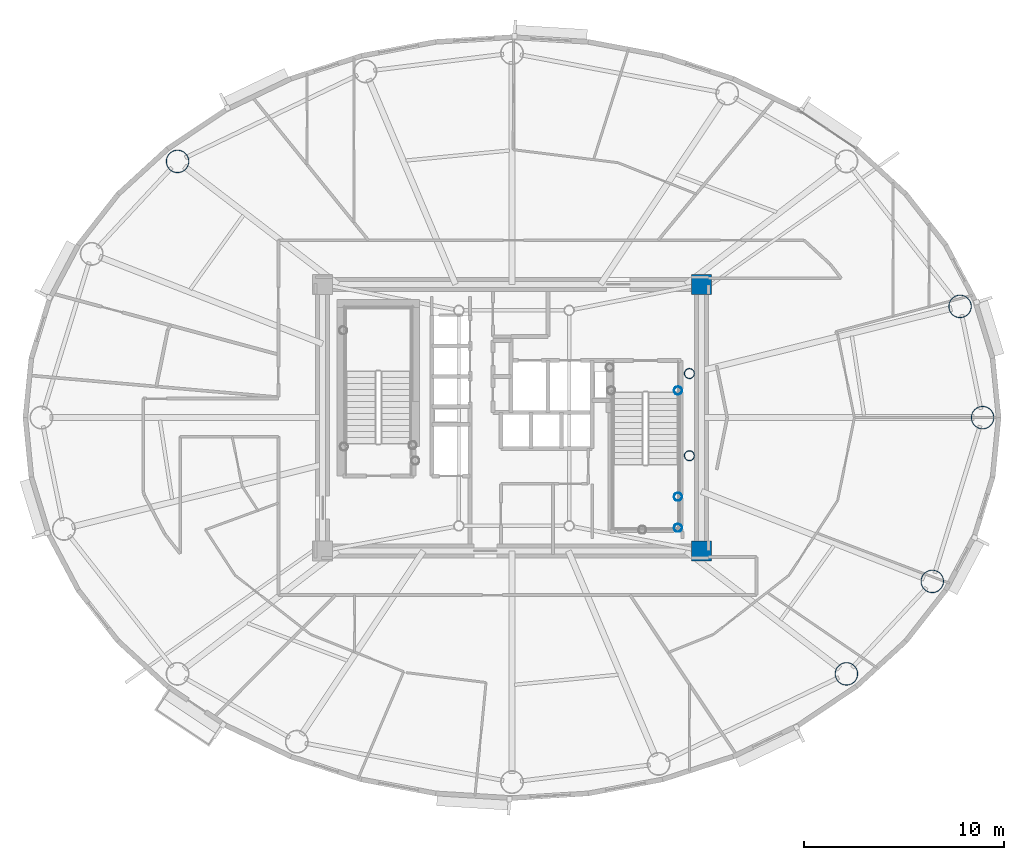
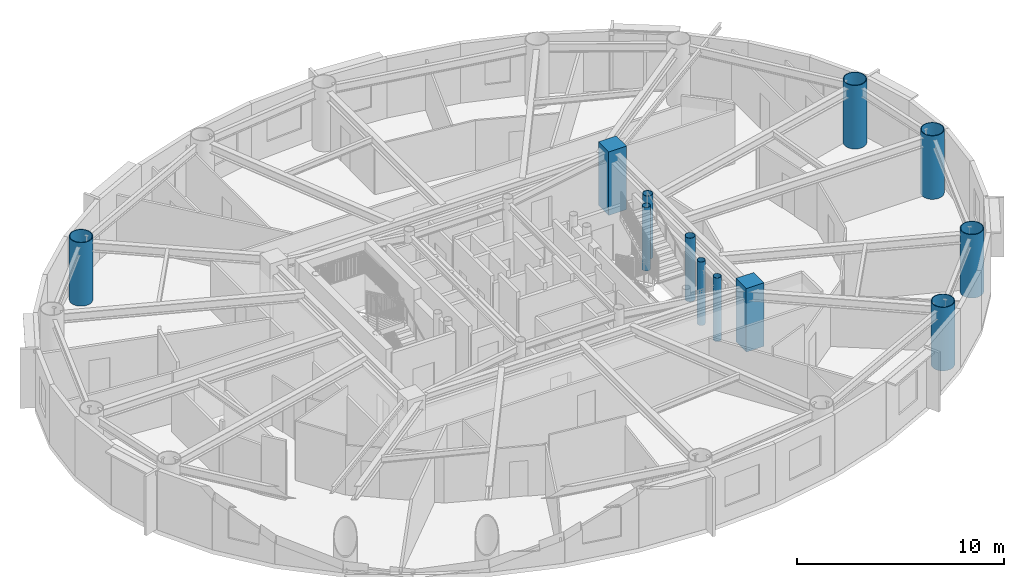
# One storey, part 2 of 18: 12 columns.
"""IFC4 building model written with IfcOpenShell, lengths in metres."""

from ifc_helpers import new_model, si_unit, direction, frame, origin, origin_2d, place, context, subcontext, project, spatial, rectangle, hollow_circle, extrude, material, material_profile, profile_set, type_object, element, save


model = new_model("IFC4")

# Units and contexts
model_context = context("Model", 3, precision=1e-05, world=origin(), true_north=direction((0.0, 1.0)))
body_context = subcontext(model_context, "Body", "Model", "MODEL_VIEW")
ifc_project = project(units=[si_unit("LENGTHUNIT", "METRE"), si_unit("AREAUNIT", "SQUARE_METRE"), si_unit("VOLUMEUNIT", "CUBIC_METRE"), si_unit("PLANEANGLEUNIT", "RADIAN"), si_unit("MASSUNIT", "GRAM", prefix="KILO")], contexts=[model_context])

# Site, building, storey
site_placement = place(None, origin())
site = spatial("IfcSite", under=ifc_project, at=site_placement, CompositionType="ELEMENT")
building_placement = place(site_placement, origin())
building = spatial("IfcBuilding", under=site, at=building_placement, Name="Linh Dai School and Residence Tower", CompositionType="ELEMENT")
storey_placement = place(building_placement, frame((0.0, 0.0, 244.050048828125)))
storey = spatial("IfcBuildingStorey", under=building, at=storey_placement, Name="L60", CompositionType="ELEMENT", Elevation=244.050048828125)

# Columns
ifc_material_1 = material(Name="Concrete B45 (C35/45)", Category="concrete")
ifc_material_profile_1 = material_profile(ifc_material_1, rectangle(XDim=1.0, YDim=1.0, at=origin_2d()), Name="RC 1000x1000")
ifc_profile_set_1 = profile_set([ifc_material_profile_1], Name="Concrete B45 (C35/45)")
column_type_1 = type_object("IfcColumnType", Name="COL-CC3", PredefinedType="COLUMN", material=ifc_profile_set_1)
for number, where, z_axis, x_axis, name in (
    (1, (45.449951171875, 20.35009765625, 0.0), (0.0, 0.0, 1.0), (1.0, 0.0, 0.0), "L60 Core Corner Pier CC2"),
    (2, (45.449951171875, 33.64990234375, 0.0), (0.0, 0.0, 1.0), (1.0, 0.0, 0.0), "L60 Core Corner Pier CC3"),
):
    element("IfcColumn", number, at=place(storey_placement, frame(where, z_axis=z_axis, x_axis=x_axis)), inside=storey, type_object=column_type_1, Name=name, PredefinedType="COLUMN", context=body_context, shape_type="SweptSolid", body=[
        extrude(rectangle(XDim=1.0, YDim=1.0, at=origin_2d()), origin(), (0.0, 0.0, 1.0), 3.75),
    ])
ifc_material_2 = material(Name="Structural Steel S355JR", Category="steel")
ifc_material_profile_2 = material_profile(ifc_material_2, hollow_circle(Radius=0.203125, WallThickness=0.01611328125, at=origin_2d()), Name="CHS 406.4x16")
ifc_profile_set_2 = profile_set([ifc_material_profile_2], Name="Structural Steel S355JR")
column_type_2 = type_object("IfcColumnType", Name="COL-EC", PredefinedType="COLUMN", material=ifc_profile_set_2)
for number, where, z_axis, x_axis, name in (
    (3, (44.280029296875, 21.5, 0.0), (0.0, 0.0, 1.0), (1.0, 0.0, 0.0), "L60 Stair Shaft Landing Support Pier ST2SE"),
    (4, (44.280029296875, 23.050048828125, 0.0), (0.0, 0.0, 1.0), (1.0, 0.0, 0.0), "L60 Stair Shaft Landing Support Pier ST2NE"),
    (5, (44.280029296875, 28.35009765625, 0.0), (0.0, 0.0, 1.0), (1.0, 0.0, 0.0), "L60 Stair Shaft Landing Support Pier ST2N2"),
):
    element("IfcColumn", number, at=place(storey_placement, frame(where, z_axis=z_axis, x_axis=x_axis)), inside=storey, type_object=column_type_2, Name=name, PredefinedType="COLUMN", context=body_context, shape_type="SweptSolid", body=[
        extrude(hollow_circle(Radius=0.203125, WallThickness=0.01611328125, at=origin_2d()), origin(), (0.0, 0.0, 1.0), 3.75),
    ])
ifc_material_profile_3 = material_profile(ifc_material_2, hollow_circle(Radius=0.574951171875, WallThickness=0.035888671875, at=origin_2d()), Name="CHS 1150x36")
ifc_profile_set_3 = profile_set([ifc_material_profile_3], Name="Structural Steel S355JR")
column_type_3 = type_object("IfcColumnType", Name="COL-MC5", PredefinedType="COLUMN", material=ifc_profile_set_3)
for number, where, z_axis, x_axis, name in (
    (6, (59.47509765625, 27.0, 0.0), (0.0, 0.0, 1.0), (1.0, 0.0, 0.0), "L60 Perimeter CFT Mega-Column MC01"),
    (7, (58.351318359375, 32.54931640625, 0.0), (0.0, 0.0, 1.0), (1.0, 0.0, 0.0), "L60 Perimeter CFT Mega-Column MC02"),
    (8, (19.31689453125, 39.781005859375, 0.0), (0.0, 0.0, 1.0), (1.0, 0.0, 0.0), "L60 Perimeter CFT Mega-Column MC07"),
    (9, (52.68310546875, 14.218994140625, 0.0), (0.0, 0.0, 1.0), (1.0, 0.0, 0.0), "L60 Perimeter CFT Mega-Column MC15"),
    (10, (56.96533203125, 18.8310546875, 0.0), (0.0, 0.0, 1.0), (1.0, 0.0, 0.0), "L60 Perimeter CFT Mega-Column MC16"),
):
    element("IfcColumn", number, at=place(storey_placement, frame(where, z_axis=z_axis, x_axis=x_axis)), inside=storey, type_object=column_type_3, Name=name, PredefinedType="COLUMN", context=body_context, shape_type="SweptSolid", body=[
        extrude(hollow_circle(Radius=0.574951171875, WallThickness=0.035888671875, at=origin_2d()), origin(), (0.0, 0.0, 1.0), 3.75),
    ])
ifc_material_profile_4 = material_profile(ifc_material_2, hollow_circle(Radius=0.25390625, WallThickness=0.02001953125, at=origin_2d()), Name="CHS 508x20")
ifc_profile_set_4 = profile_set([ifc_material_profile_4], Name="Structural Steel S355JR")
column_type_4 = type_object("IfcColumnType", Name="COL-MCP", PredefinedType="COLUMN", material=ifc_profile_set_4)
for number, where, z_axis, x_axis, name in (
    (11, (44.85009765625, 25.10009765625, 0.0), (0.0, 0.0, 1.0), (1.0, 0.0, 0.0), "L60 Sky-Lounge Core Anchor Pier S"),
    (12, (44.85009765625, 29.199951171875, 0.0), (0.0, 0.0, 1.0), (1.0, 0.0, 0.0), "L60 Sky-Lounge Core Anchor Pier N"),
):
    element("IfcColumn", number, at=place(storey_placement, frame(where, z_axis=z_axis, x_axis=x_axis)), inside=storey, type_object=column_type_4, Name=name, PredefinedType="COLUMN", context=body_context, shape_type="SweptSolid", body=[
        extrude(hollow_circle(Radius=0.25390625, WallThickness=0.02001953125, at=origin_2d()), origin(), (0.0, 0.0, 1.0), 3.75),
    ])

save(model, "model.ifc")
